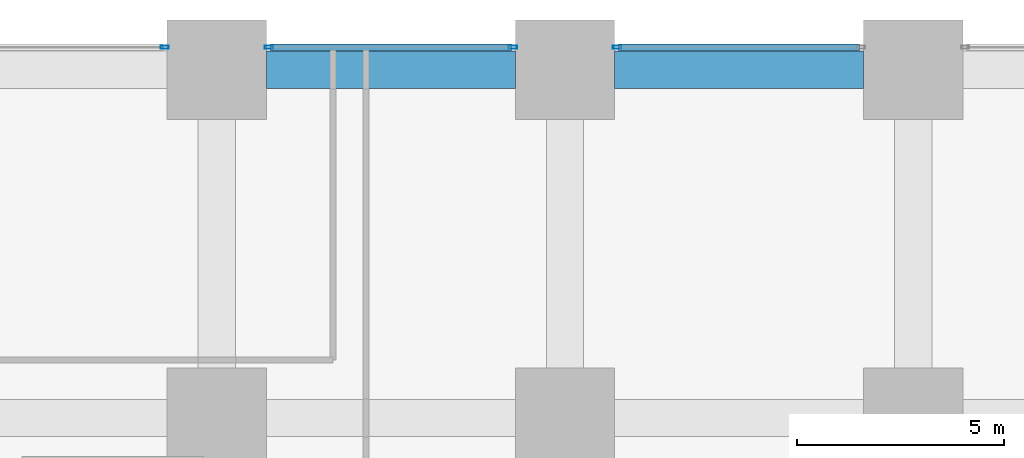
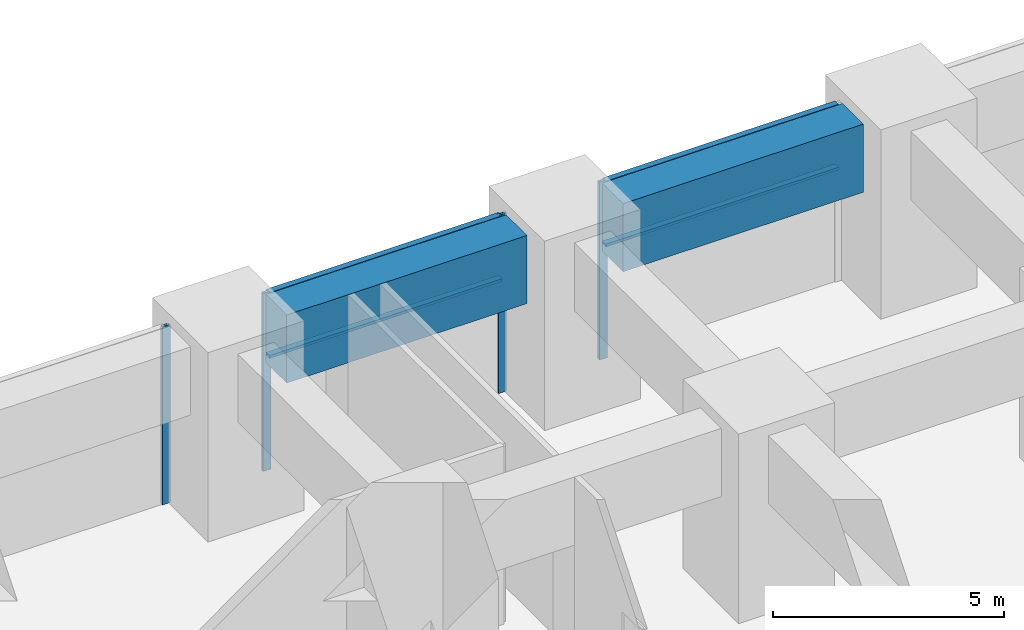
# One storey, part 29 of 49: 8 members, 2 beams, 3 elements without a shape of their own.
"""IFC4 building model written with IfcOpenShell, lengths in metres."""

from ifc_helpers import new_model, si_unit, direction, frame, origin, origin_2d, place, context, subcontext, project, spatial, rectangle, hollow_rectangle, extrude, material, material_profile, profile_set, type_object, element, aggregate, save


model = new_model("IFC4")

# Units and contexts
model_context = context("Model", 3, precision=1e-05, world=origin(), true_north=direction((0.0, 1.0)))
body_context = subcontext(model_context, "Body", "Model", "MODEL_VIEW")
ifc_project = project(units=[si_unit("LENGTHUNIT", "METRE"), si_unit("AREAUNIT", "SQUARE_METRE"), si_unit("VOLUMEUNIT", "CUBIC_METRE"), si_unit("PLANEANGLEUNIT", "RADIAN"), si_unit("MASSUNIT", "GRAM", prefix="KILO")], contexts=[model_context])

# Site, building, storey
site_placement = place(None, origin())
site = spatial("IfcSite", under=ifc_project, at=site_placement, CompositionType="ELEMENT")
building_placement = place(site_placement, origin())
building = spatial("IfcBuilding", under=site, at=building_placement, Name="Rekha Terrace Tower", CompositionType="ELEMENT")
storey_placement = place(building_placement, frame((0.0, 0.0, 10.39990234375)))
storey = spatial("IfcBuildingStorey", under=building, at=storey_placement, Name="L02", CompositionType="ELEMENT", Elevation=10.39990234375)

# Curtain wall, member
ifc_material_1 = material(Name="Aluminium framing", Category="aluminium")
curtain_wall_type = type_object("IfcCurtainWallType", Name="CW4 podium shopfront glazing", PredefinedType="USERDEFINED", material=ifc_material_1)
curtain_wall_1_placement = place(storey_placement, origin())
curtain_wall_1 = element("IfcCurtainWall", 1, at=curtain_wall_1_placement, inside=storey, type_object=curtain_wall_type, Name="CW4 shopfront curtain wall", ObjectType="SHOPFRONT CURTAIN WALL", PredefinedType="USERDEFINED")
ifc_material_2 = material(Name="Aluminium mullion section", Category="aluminium")
ifc_material_profile_1 = material_profile(ifc_material_2, hollow_rectangle(XDim=0.074951171875, YDim=0.199951171875, WallThickness=0.00390625, at=origin_2d()), Name="AL RHS 75x200")
ifc_profile_set_1 = profile_set([ifc_material_profile_1], Name="Aluminium mullion section")
member_type_1 = type_object("IfcMemberType", Name="CW4 mullion RHS 75 x 200", PredefinedType="MULLION", material=ifc_profile_set_1)
member_1_placement = place(storey_placement, frame((60.0576171875, 59.340087890625, 0.0), z_axis=(0.0, 0.0, 1.0), x_axis=(0.0, -1.0, 0.0)))
member_1 = element("IfcMember", 2, at=member_1_placement, type_object=member_type_1, Name="CW4 mullion 2", PredefinedType="MULLION", context=body_context, shape_type="SweptSolid", body=[
    extrude(hollow_rectangle(XDim=0.074951171875, YDim=0.199951171875, WallThickness=0.00390625, at=origin_2d()), origin(), (0.0, 0.0, 1.0), 4.7001953125),
])

# Curtain wall, members
curtain_wall_2_placement = place(storey_placement, origin())
curtain_wall_2 = element("IfcCurtainWall", 3, at=curtain_wall_2_placement, inside=storey, type_object=curtain_wall_type, Name="CW4 shopfront curtain wall", ObjectType="SHOPFRONT CURTAIN WALL", PredefinedType="USERDEFINED")
member_2_placement = place(storey_placement, frame((57.54248046875, 59.340087890625, 0.0), z_axis=(0.0, 0.0, 1.0), x_axis=(0.0, -1.0, 0.0)))
member_2 = element("IfcMember", 4, at=member_2_placement, type_object=member_type_1, Name="CW4 mullion 1", PredefinedType="MULLION", context=body_context, shape_type="SweptSolid", body=[
    extrude(hollow_rectangle(XDim=0.074951171875, YDim=0.199951171875, WallThickness=0.00390625, at=origin_2d()), origin(), (0.0, 0.0, 1.0), 4.7001953125),
])
member_3_placement = place(storey_placement, frame((51.657470703125, 59.340087890625, 0.0), z_axis=(0.0, 0.0, 1.0), x_axis=(0.0, -1.0, 0.0)))
member_3 = element("IfcMember", 5, at=member_3_placement, type_object=member_type_1, Name="CW4 mullion 2", PredefinedType="MULLION", context=body_context, shape_type="SweptSolid", body=[
    extrude(hollow_rectangle(XDim=0.074951171875, YDim=0.199951171875, WallThickness=0.00390625, at=origin_2d()), origin(), (0.0, 0.0, 1.0), 4.7001953125),
])

# Curtain wall, member
curtain_wall_3_placement = place(storey_placement, origin())
curtain_wall_3 = element("IfcCurtainWall", 6, at=curtain_wall_3_placement, inside=storey, type_object=curtain_wall_type, Name="CW4 shopfront curtain wall", ObjectType="SHOPFRONT CURTAIN WALL", PredefinedType="USERDEFINED")
member_4_placement = place(storey_placement, frame((49.142578125, 59.340087890625, 0.0), z_axis=(0.0, 0.0, 1.0), x_axis=(0.0, -1.0, 0.0)))
member_4 = element("IfcMember", 7, at=member_4_placement, type_object=member_type_1, Name="CW4 mullion 1", PredefinedType="MULLION", context=body_context, shape_type="SweptSolid", body=[
    extrude(hollow_rectangle(XDim=0.074951171875, YDim=0.199951171875, WallThickness=0.00390625, at=origin_2d()), origin(), (0.0, 0.0, 1.0), 4.7001953125),
])
aggregate(curtain_wall_3, [member_4])

# Member
ifc_material_3 = material(Name="Aluminium transom section", Category="aluminium")
ifc_material_profile_2 = material_profile(ifc_material_3, hollow_rectangle(XDim=0.14990234375, YDim=0.074951171875, WallThickness=0.0029296875, at=origin_2d()), Name="AL RHS 150x75")
ifc_profile_set_2 = profile_set([ifc_material_profile_2], Name="Aluminium transom section")
member_type_2 = type_object("IfcMemberType", Name="CW4 transom RHS 75 x 150", PredefinedType="USERDEFINED", material=ifc_profile_set_2)
member_5_placement = place(storey_placement, frame((65.905029296875, 59.340087890625, 3.0), z_axis=(-1.0, 0.0, 0.0), x_axis=(0.0, -1.0, 0.0)))
member_5 = element("IfcMember", 8, at=member_5_placement, type_object=member_type_2, Name="CW4 transom 1.2", ObjectType="TRANSOM", PredefinedType="USERDEFINED", context=body_context, shape_type="SweptSolid", body=[
    extrude(hollow_rectangle(XDim=0.14990234375, YDim=0.074951171875, WallThickness=0.0029296875, at=origin_2d()), origin(), (0.0, 0.0, 1.0), 5.81005859375),
])

member_6_placement = place(storey_placement, frame((65.905029296875, 59.340087890625, 4.66259765625), z_axis=(-1.0, 0.0, 0.0), x_axis=(0.0, -1.0, 0.0)))
member_6 = element("IfcMember", 9, at=member_6_placement, type_object=member_type_2, Name="CW4 transom 1.3", ObjectType="TRANSOM", PredefinedType="USERDEFINED", context=body_context, shape_type="SweptSolid", body=[
    extrude(hollow_rectangle(XDim=0.14990234375, YDim=0.074951171875, WallThickness=0.0029296875, at=origin_2d()), origin(), (0.0, 0.0, 1.0), 5.81005859375),
])

aggregate(curtain_wall_1, [member_1, member_5, member_6])

member_7_placement = place(storey_placement, frame((57.5048828125, 59.340087890625, 3.0), z_axis=(-1.0, 0.0, 0.0), x_axis=(0.0, -1.0, 0.0)))
member_7 = element("IfcMember", 10, at=member_7_placement, type_object=member_type_2, Name="CW4 transom 1.2", ObjectType="TRANSOM", PredefinedType="USERDEFINED", context=body_context, shape_type="SweptSolid", body=[
    extrude(hollow_rectangle(XDim=0.14990234375, YDim=0.074951171875, WallThickness=0.0029296875, at=origin_2d()), origin(), (0.0, 0.0, 1.0), 5.809814453125),
])

member_8_placement = place(storey_placement, frame((57.5048828125, 59.340087890625, 4.66259765625), z_axis=(-1.0, 0.0, 0.0), x_axis=(0.0, -1.0, 0.0)))
member_8 = element("IfcMember", 11, at=member_8_placement, type_object=member_type_2, Name="CW4 transom 1.3", ObjectType="TRANSOM", PredefinedType="USERDEFINED", context=body_context, shape_type="SweptSolid", body=[
    extrude(hollow_rectangle(XDim=0.14990234375, YDim=0.074951171875, WallThickness=0.0029296875, at=origin_2d()), origin(), (0.0, 0.0, 1.0), 5.809814453125),
])

aggregate(curtain_wall_2, [member_2, member_3, member_7, member_8])

# Beams
ifc_material_4 = material(Name="Concrete M60", Category="concrete")
ifc_material_profile_3 = material_profile(ifc_material_4, rectangle(XDim=0.89990234375, YDim=1.800048828125, at=origin_2d()), Name="RC 900x1800")
ifc_profile_set_3 = profile_set([ifc_material_profile_3], Name="Concrete M60")
beam_type = type_object("IfcBeamType", Name="G1 900x1800 podium floor beam", PredefinedType="BEAM", material=ifc_profile_set_3)
for number, where, z_axis, x_axis, name in (
    (12, (51.60009765625, 58.800048828125, 3.800048828125), (1.0, 0.0, 0.0), (0.0, 1.0, 0.0), "Beam G1 7H-8H under L03"),
    (13, (60.0, 58.800048828125, 3.800048828125), (1.0, 0.0, 0.0), (0.0, 1.0, 0.0), "Beam G1 8H-9H under L03"),
):
    element("IfcBeam", number, at=place(storey_placement, frame(where, z_axis=z_axis, x_axis=x_axis)), inside=storey, type_object=beam_type, Name=name, PredefinedType="BEAM", context=body_context, shape_type="SweptSolid", body=[
        extrude(rectangle(XDim=0.89990234375, YDim=1.800048828125, at=origin_2d()), origin(), (0.0, 0.0, 1.0), 6.0),
    ])

save(model, "model.ifc")
